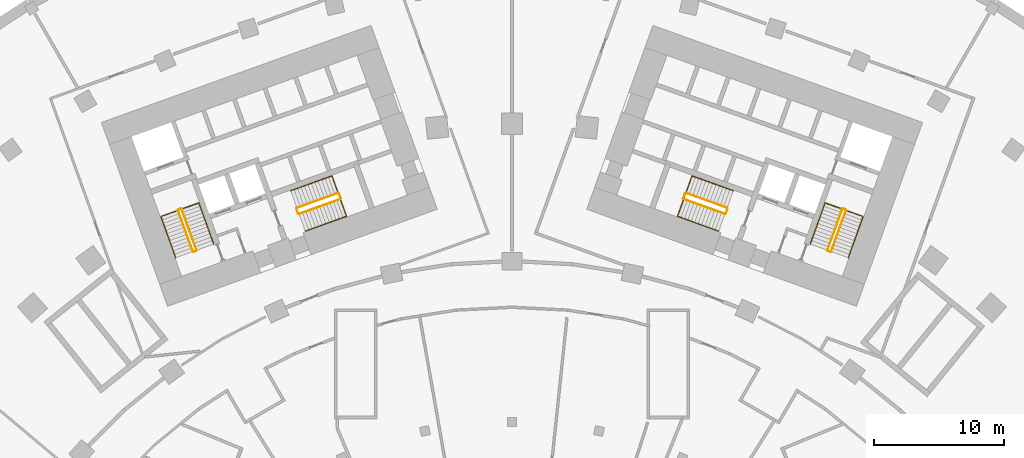
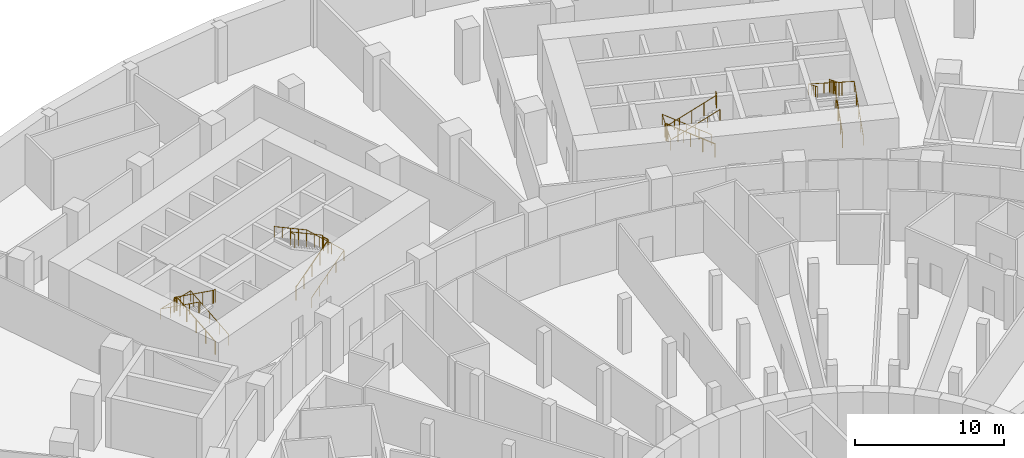
# One storey, part 23 of 23: 12 railings.
"""IFC4 building model written with IfcOpenShell, lengths in metres."""

from ifc_helpers import new_model, si_unit, direction, frame, origin, origin_2d, place, context, subcontext, project, spatial, circle, extrude, material, type_object, element, save


model = new_model("IFC4")

# Units and contexts
model_context = context("Model", 3, precision=1e-05, world=origin(), true_north=direction((0.0, 1.0)))
body_context = subcontext(model_context, "Body", "Model", "MODEL_VIEW")
ifc_project = project(units=[si_unit("LENGTHUNIT", "METRE"), si_unit("AREAUNIT", "SQUARE_METRE"), si_unit("VOLUMEUNIT", "CUBIC_METRE"), si_unit("PLANEANGLEUNIT", "RADIAN"), si_unit("MASSUNIT", "GRAM", prefix="KILO")], contexts=[model_context])

# Site, building, storey
site_placement = place(None, origin())
site = spatial("IfcSite", under=ifc_project, at=site_placement, CompositionType="ELEMENT")
building_placement = place(site_placement, origin())
building = spatial("IfcBuilding", under=site, at=building_placement, Name="Stone Belt Terrace Tower", CompositionType="ELEMENT")
storey_placement = place(building_placement, frame((0.0, 0.0, -4.5)))
storey = spatial("IfcBuildingStorey", under=building, at=storey_placement, Name="B1", CompositionType="ELEMENT", Elevation=-4.5)

# Railings
ifc_material = material(Name="Structural steel C345", Category="steel")
railing_type_1 = type_object("IfcRailingType", Name="Stair guard 1100", PredefinedType="GUARDRAIL", material=ifc_material)
railing_1_placement = place(storey_placement, frame((-24.2119140625, 45.276123046875, 0.173095703125)))
element("IfcRailing", 1, at=railing_1_placement, inside=storey, type_object=railing_type_1, Name="B1 ST1A stair guard 1", PredefinedType="GUARDRAIL", context=body_context, shape_type="SweptSolid", body=[
    extrude(circle(Radius=0.02392578125, at=origin_2d()), frame((0.0, 0.0, 1.076171875), z_axis=(-0.288083704321, 0.800342391602, 0.525794480296), x_axis=(-0.940902231577, -0.338678299589, 0.0)), (0.0, 0.0, 1.0), 3.949951171875),
    extrude(circle(Radius=0.02392578125, at=origin_2d()), frame((-1.137939453125, 3.161376953125, 3.15283203125), z_axis=(-0.903878284585, 0.427789722475, 0.0), x_axis=(-0.427789722475, -0.903878284585, 0.0)), (0.0, 0.0, 1.0), 0.07080078125),
    extrude(circle(Radius=0.02392578125, at=origin_2d()), frame((-1.201904296875, 3.191650390625, 3.15283203125), z_axis=(-0.940575576748, -0.339584429008, 0.0), x_axis=(0.339584429008, -0.940575576748, 0.0)), (0.0, 0.0, 1.0), 0.199951171875),
    extrude(circle(Radius=0.02099609375, at=origin_2d()), origin(), (0.0, 0.0, 1.0), 1.052001953125),
    extrude(circle(Radius=0.02099609375, at=origin_2d()), frame((-0.284423828125, 0.790283203125, 0.519287109375)), (0.0, 0.0, 1.0), 1.052001953125),
    extrude(circle(Radius=0.02099609375, at=origin_2d()), frame((-0.56884765625, 1.58056640625, 1.03857421875)), (0.0, 0.0, 1.0), 1.052001953125),
    extrude(circle(Radius=0.02099609375, at=origin_2d()), frame((-0.853515625, 2.37109375, 1.5576171875)), (0.0, 0.0, 1.0), 1.052001953125),
    extrude(circle(Radius=0.02099609375, at=origin_2d()), frame((-1.137939453125, 3.161376953125, 2.076904296875)), (0.0, 0.0, 1.0), 1.052001953125),
    extrude(circle(Radius=0.02099609375, at=origin_2d()), frame((-1.201904296875, 3.191650390625, 2.076904296875)), (0.0, 0.0, 1.0), 1.052001953125),
    extrude(circle(Radius=0.02099609375, at=origin_2d()), frame((-1.389892578125, 3.123779296875, 2.076904296875)), (0.0, 0.0, 1.0), 1.052001953125),
])
railing_2_placement = place(storey_placement, frame((-25.632080078125, 48.3359375, 2.423095703125)))
element("IfcRailing", 2, at=railing_2_placement, inside=storey, type_object=railing_type_1, Name="B1 ST1A stair guard 2", PredefinedType="GUARDRAIL", context=body_context, shape_type="SweptSolid", body=[
    extrude(circle(Radius=0.02392578125, at=origin_2d()), frame((0.0, 0.0, 1.076171875), z_axis=(0.288083704321, -0.800342391602, 0.525794480296), x_axis=(0.940902231577, 0.338678299589, 0.0)), (0.0, 0.0, 1.0), 3.949951171875),
    extrude(circle(Radius=0.02392578125, at=origin_2d()), frame((1.137939453125, -3.161376953125, 3.15283203125), z_axis=(0.903878284585, -0.427789722475, 0.0), x_axis=(0.427789722475, 0.903878284585, 0.0)), (0.0, 0.0, 1.0), 0.07080078125),
    extrude(circle(Radius=0.02392578125, at=origin_2d()), frame((1.201904296875, -3.191650390625, 3.15283203125), z_axis=(0.940575576748, 0.339584429008, 0.0), x_axis=(-0.339584429008, 0.940575576748, 0.0)), (0.0, 0.0, 1.0), 0.199951171875),
    extrude(circle(Radius=0.02099609375, at=origin_2d()), origin(), (0.0, 0.0, 1.0), 1.052001953125),
    extrude(circle(Radius=0.02099609375, at=origin_2d()), frame((0.284423828125, -0.790283203125, 0.519287109375)), (0.0, 0.0, 1.0), 1.052001953125),
    extrude(circle(Radius=0.02099609375, at=origin_2d()), frame((0.56884765625, -1.58056640625, 1.03857421875)), (0.0, 0.0, 1.0), 1.052001953125),
    extrude(circle(Radius=0.02099609375, at=origin_2d()), frame((0.853515625, -2.37109375, 1.5576171875)), (0.0, 0.0, 1.0), 1.052001953125),
    extrude(circle(Radius=0.02099609375, at=origin_2d()), frame((1.137939453125, -3.161376953125, 2.076904296875)), (0.0, 0.0, 1.0), 1.052001953125),
    extrude(circle(Radius=0.02099609375, at=origin_2d()), frame((1.201904296875, -3.191650390625, 2.076904296875)), (0.0, 0.0, 1.0), 1.052001953125),
    extrude(circle(Radius=0.02099609375, at=origin_2d()), frame((1.389892578125, -3.123779296875, 2.076904296875)), (0.0, 0.0, 1.0), 1.052001953125),
])
railing_3_placement = place(storey_placement, frame((-16.33837890625, 48.056640625, 0.173095703125)))
element("IfcRailing", 3, at=railing_3_placement, inside=storey, type_object=railing_type_1, Name="B1 ST2A stair guard 1", PredefinedType="GUARDRAIL", context=body_context, shape_type="SweptSolid", body=[
    extrude(circle(Radius=0.02392578125, at=origin_2d()), frame((0.0, 0.0, 1.076171875), z_axis=(0.800378855174, 0.288012777229, 0.525777831735), x_axis=(-0.338590819614, 0.940933715451, 0.0)), (0.0, 0.0, 1.0), 3.9501953125),
    extrude(circle(Radius=0.02392578125, at=origin_2d()), frame((3.16162109375, 1.1376953125, 3.15283203125), z_axis=(0.424964916, 0.905209821074, 0.0), x_axis=(-0.905209821074, 0.424964916, 0.0)), (0.0, 0.0, 1.0), 0.070556640625),
    extrude(circle(Radius=0.02392578125, at=origin_2d()), frame((3.191650390625, 1.20166015625, 3.15283203125), z_axis=(-0.338654645739, 0.940910745459, 0.0), x_axis=(-0.940910745459, -0.338654645739, 0.0)), (0.0, 0.0, 1.0), 0.400146484375),
    extrude(circle(Radius=0.02099609375, at=origin_2d()), origin(), (0.0, 0.0, 1.0), 1.052001953125),
    extrude(circle(Radius=0.02099609375, at=origin_2d()), frame((0.79052734375, 0.284423828125, 0.519287109375)), (0.0, 0.0, 1.0), 1.052001953125),
    extrude(circle(Radius=0.02099609375, at=origin_2d()), frame((1.580810546875, 0.56884765625, 1.03857421875)), (0.0, 0.0, 1.0), 1.052001953125),
    extrude(circle(Radius=0.02099609375, at=origin_2d()), frame((2.37109375, 0.853271484375, 1.5576171875)), (0.0, 0.0, 1.0), 1.052001953125),
    extrude(circle(Radius=0.02099609375, at=origin_2d()), frame((3.16162109375, 1.1376953125, 2.076904296875)), (0.0, 0.0, 1.0), 1.052001953125),
    extrude(circle(Radius=0.02099609375, at=origin_2d()), frame((3.191650390625, 1.20166015625, 2.076904296875)), (0.0, 0.0, 1.0), 1.052001953125),
    extrude(circle(Radius=0.02099609375, at=origin_2d()), frame((3.05615234375, 1.578125, 2.076904296875)), (0.0, 0.0, 1.0), 1.052001953125),
])
railing_4_placement = place(storey_placement, frame((-13.34619140625, 49.664794921875, 2.423095703125)))
element("IfcRailing", 4, at=railing_4_placement, inside=storey, type_object=railing_type_1, Name="B1 ST2A stair guard 2", PredefinedType="GUARDRAIL", context=body_context, shape_type="SweptSolid", body=[
    extrude(circle(Radius=0.02392578125, at=origin_2d()), frame((0.0, 0.0, 1.076171875), z_axis=(-0.800356641085, -0.288027025056, 0.525803841664), x_axis=(0.338613969627, -0.9409253847, 0.0)), (0.0, 0.0, 1.0), 3.949951171875),
    extrude(circle(Radius=0.02392578125, at=origin_2d()), frame((-3.161376953125, -1.1376953125, 3.15283203125), z_axis=(-0.427789722475, -0.903878284585, 0.0), x_axis=(0.903878284585, -0.427789722475, 0.0)), (0.0, 0.0, 1.0), 0.07080078125),
    extrude(circle(Radius=0.02392578125, at=origin_2d()), frame((-3.191650390625, -1.20166015625, 3.15283203125), z_axis=(0.338654645739, -0.940910745459, 0.0), x_axis=(0.940910745459, 0.338654645739, 0.0)), (0.0, 0.0, 1.0), 0.400146484375),
    extrude(circle(Radius=0.02099609375, at=origin_2d()), origin(), (0.0, 0.0, 1.0), 1.052001953125),
    extrude(circle(Radius=0.02099609375, at=origin_2d()), frame((-0.790283203125, -0.284423828125, 0.519287109375)), (0.0, 0.0, 1.0), 1.052001953125),
    extrude(circle(Radius=0.02099609375, at=origin_2d()), frame((-1.58056640625, -0.56884765625, 1.03857421875)), (0.0, 0.0, 1.0), 1.052001953125),
    extrude(circle(Radius=0.02099609375, at=origin_2d()), frame((-2.37109375, -0.853271484375, 1.5576171875)), (0.0, 0.0, 1.0), 1.052001953125),
    extrude(circle(Radius=0.02099609375, at=origin_2d()), frame((-3.161376953125, -1.1376953125, 2.076904296875)), (0.0, 0.0, 1.0), 1.052001953125),
    extrude(circle(Radius=0.02099609375, at=origin_2d()), frame((-3.191650390625, -1.20166015625, 2.076904296875)), (0.0, 0.0, 1.0), 1.052001953125),
    extrude(circle(Radius=0.02099609375, at=origin_2d()), frame((-3.05615234375, -1.578125, 2.076904296875)), (0.0, 0.0, 1.0), 1.052001953125),
])
railing_5_placement = place(storey_placement, frame((24.494140625, 45.174560546875, 0.173095703125)))
element("IfcRailing", 5, at=railing_5_placement, inside=storey, type_object=railing_type_1, Name="B1 ST1B stair guard 1", PredefinedType="GUARDRAIL", context=body_context, shape_type="SweptSolid", body=[
    extrude(circle(Radius=0.02392578125, at=origin_2d()), frame((0.0, 0.0, 1.076171875), z_axis=(0.288083704321, 0.800342391602, 0.525794480296), x_axis=(-0.940902231577, 0.338678299589, 0.0)), (0.0, 0.0, 1.0), 3.949951171875),
    extrude(circle(Radius=0.02392578125, at=origin_2d()), frame((1.137939453125, 3.161376953125, 3.15283203125), z_axis=(-0.427789722475, 0.903878284585, 0.0), x_axis=(-0.903878284585, -0.427789722475, 0.0)), (0.0, 0.0, 1.0), 0.07080078125),
    extrude(circle(Radius=0.02392578125, at=origin_2d()), frame((1.107666015625, 3.225341796875, 3.15283203125), z_axis=(-0.940575576748, 0.339584429008, 0.0), x_axis=(-0.339584429008, -0.940575576748, 0.0)), (0.0, 0.0, 1.0), 0.199951171875),
    extrude(circle(Radius=0.02099609375, at=origin_2d()), origin(), (0.0, 0.0, 1.0), 1.052001953125),
    extrude(circle(Radius=0.02099609375, at=origin_2d()), frame((0.284423828125, 0.790283203125, 0.519287109375)), (0.0, 0.0, 1.0), 1.052001953125),
    extrude(circle(Radius=0.02099609375, at=origin_2d()), frame((0.56884765625, 1.58056640625, 1.03857421875)), (0.0, 0.0, 1.0), 1.052001953125),
    extrude(circle(Radius=0.02099609375, at=origin_2d()), frame((0.853515625, 2.37109375, 1.5576171875)), (0.0, 0.0, 1.0), 1.052001953125),
    extrude(circle(Radius=0.02099609375, at=origin_2d()), frame((1.137939453125, 3.161376953125, 2.076904296875)), (0.0, 0.0, 1.0), 1.052001953125),
    extrude(circle(Radius=0.02099609375, at=origin_2d()), frame((1.107666015625, 3.225341796875, 2.076904296875)), (0.0, 0.0, 1.0), 1.052001953125),
    extrude(circle(Radius=0.02099609375, at=origin_2d()), frame((0.919677734375, 3.293212890625, 2.076904296875)), (0.0, 0.0, 1.0), 1.052001953125),
])
railing_6_placement = place(storey_placement, frame((25.349853515625, 48.4375, 2.423095703125)))
element("IfcRailing", 6, at=railing_6_placement, inside=storey, type_object=railing_type_1, Name="B1 ST1B stair guard 2", PredefinedType="GUARDRAIL", context=body_context, shape_type="SweptSolid", body=[
    extrude(circle(Radius=0.02392578125, at=origin_2d()), frame((0.0, 0.0, 1.076171875), z_axis=(-0.288083704321, -0.800342391602, 0.525794480296), x_axis=(0.940902231577, -0.338678299589, 0.0)), (0.0, 0.0, 1.0), 3.949951171875),
    extrude(circle(Radius=0.02392578125, at=origin_2d()), frame((-1.137939453125, -3.161376953125, 3.15283203125), z_axis=(0.427789722475, -0.903878284585, 0.0), x_axis=(0.903878284585, 0.427789722475, 0.0)), (0.0, 0.0, 1.0), 0.07080078125),
    extrude(circle(Radius=0.02392578125, at=origin_2d()), frame((-1.107666015625, -3.225341796875, 3.15283203125), z_axis=(0.940575576748, -0.339584429008, 0.0), x_axis=(0.339584429008, 0.940575576748, 0.0)), (0.0, 0.0, 1.0), 0.199951171875),
    extrude(circle(Radius=0.02099609375, at=origin_2d()), origin(), (0.0, 0.0, 1.0), 1.052001953125),
    extrude(circle(Radius=0.02099609375, at=origin_2d()), frame((-0.284423828125, -0.790283203125, 0.519287109375)), (0.0, 0.0, 1.0), 1.052001953125),
    extrude(circle(Radius=0.02099609375, at=origin_2d()), frame((-0.56884765625, -1.58056640625, 1.03857421875)), (0.0, 0.0, 1.0), 1.052001953125),
    extrude(circle(Radius=0.02099609375, at=origin_2d()), frame((-0.853515625, -2.37109375, 1.5576171875)), (0.0, 0.0, 1.0), 1.052001953125),
    extrude(circle(Radius=0.02099609375, at=origin_2d()), frame((-1.137939453125, -3.161376953125, 2.076904296875)), (0.0, 0.0, 1.0), 1.052001953125),
    extrude(circle(Radius=0.02099609375, at=origin_2d()), frame((-1.107666015625, -3.225341796875, 2.076904296875)), (0.0, 0.0, 1.0), 1.052001953125),
    extrude(circle(Radius=0.02099609375, at=origin_2d()), frame((-0.919677734375, -3.293212890625, 2.076904296875)), (0.0, 0.0, 1.0), 1.052001953125),
])
railing_7_placement = place(storey_placement, frame((16.507568359375, 48.527099609375, 0.173095703125)))
element("IfcRailing", 7, at=railing_7_placement, inside=storey, type_object=railing_type_1, Name="B1 ST2B stair guard 1", PredefinedType="GUARDRAIL", context=body_context, shape_type="SweptSolid", body=[
    extrude(circle(Radius=0.02392578125, at=origin_2d()), frame((0.0, 0.0, 1.076171875), z_axis=(-0.800356641085, 0.288027025056, 0.525803841664), x_axis=(-0.338613969627, -0.9409253847, 0.0)), (0.0, 0.0, 1.0), 3.949951171875),
    extrude(circle(Radius=0.02392578125, at=origin_2d()), frame((-3.161376953125, 1.1376953125, 3.15283203125), z_axis=(-0.905209821074, -0.424964916, 0.0), x_axis=(0.424964916, -0.905209821074, 0.0)), (0.0, 0.0, 1.0), 0.070556640625),
    extrude(circle(Radius=0.02392578125, at=origin_2d()), frame((-3.225341796875, 1.107666015625, 3.15283203125), z_axis=(-0.338654645739, -0.940910745459, 0.0), x_axis=(0.940910745459, -0.338654645739, 0.0)), (0.0, 0.0, 1.0), 0.400146484375),
    extrude(circle(Radius=0.02099609375, at=origin_2d()), origin(), (0.0, 0.0, 1.0), 1.052001953125),
    extrude(circle(Radius=0.02099609375, at=origin_2d()), frame((-0.790283203125, 0.284423828125, 0.519287109375)), (0.0, 0.0, 1.0), 1.052001953125),
    extrude(circle(Radius=0.02099609375, at=origin_2d()), frame((-1.58056640625, 0.56884765625, 1.03857421875)), (0.0, 0.0, 1.0), 1.052001953125),
    extrude(circle(Radius=0.02099609375, at=origin_2d()), frame((-2.37109375, 0.853271484375, 1.5576171875)), (0.0, 0.0, 1.0), 1.052001953125),
    extrude(circle(Radius=0.02099609375, at=origin_2d()), frame((-3.161376953125, 1.1376953125, 2.076904296875)), (0.0, 0.0, 1.0), 1.052001953125),
    extrude(circle(Radius=0.02099609375, at=origin_2d()), frame((-3.225341796875, 1.107666015625, 2.076904296875)), (0.0, 0.0, 1.0), 1.052001953125),
    extrude(circle(Radius=0.02099609375, at=origin_2d()), frame((-3.36083984375, 0.731201171875, 2.076904296875)), (0.0, 0.0, 1.0), 1.052001953125),
])
railing_8_placement = place(storey_placement, frame((13.1767578125, 49.1943359375, 2.423095703125)))
element("IfcRailing", 8, at=railing_8_placement, inside=storey, type_object=railing_type_1, Name="B1 ST2B stair guard 2", PredefinedType="GUARDRAIL", context=body_context, shape_type="SweptSolid", body=[
    extrude(circle(Radius=0.02392578125, at=origin_2d()), frame((0.0, 0.0, 1.076171875), z_axis=(0.800378855174, -0.288012777229, 0.525777831735), x_axis=(0.338590819614, 0.940933715451, 0.0)), (0.0, 0.0, 1.0), 3.9501953125),
    extrude(circle(Radius=0.02392578125, at=origin_2d()), frame((3.16162109375, -1.1376953125, 3.15283203125), z_axis=(0.905209821074, 0.424964916, 0.0), x_axis=(-0.424964916, 0.905209821074, 0.0)), (0.0, 0.0, 1.0), 0.070556640625),
    extrude(circle(Radius=0.02392578125, at=origin_2d()), frame((3.2255859375, -1.107666015625, 3.15283203125), z_axis=(0.338654645739, 0.940910745459, 0.0), x_axis=(-0.940910745459, 0.338654645739, 0.0)), (0.0, 0.0, 1.0), 0.400146484375),
    extrude(circle(Radius=0.02099609375, at=origin_2d()), origin(), (0.0, 0.0, 1.0), 1.052001953125),
    extrude(circle(Radius=0.02099609375, at=origin_2d()), frame((0.79052734375, -0.284423828125, 0.519287109375)), (0.0, 0.0, 1.0), 1.052001953125),
    extrude(circle(Radius=0.02099609375, at=origin_2d()), frame((1.580810546875, -0.56884765625, 1.03857421875)), (0.0, 0.0, 1.0), 1.052001953125),
    extrude(circle(Radius=0.02099609375, at=origin_2d()), frame((2.37109375, -0.853271484375, 1.5576171875)), (0.0, 0.0, 1.0), 1.052001953125),
    extrude(circle(Radius=0.02099609375, at=origin_2d()), frame((3.16162109375, -1.1376953125, 2.076904296875)), (0.0, 0.0, 1.0), 1.052001953125),
    extrude(circle(Radius=0.02099609375, at=origin_2d()), frame((3.2255859375, -1.107666015625, 2.076904296875)), (0.0, 0.0, 1.0), 1.052001953125),
    extrude(circle(Radius=0.02099609375, at=origin_2d()), frame((3.361083984375, -0.731201171875, 2.076904296875)), (0.0, 0.0, 1.0), 1.052001953125),
])
railing_type_2 = type_object("IfcRailingType", Name="Stair handrail 900", PredefinedType="HANDRAIL", material=ifc_material)
railing_9_placement = place(storey_placement, frame((-22.894775390625, 45.750244140625, 0.173095703125)))
element("IfcRailing", 9, at=railing_9_placement, inside=storey, type_object=railing_type_2, Name="B1 ST1A stair handrail 1", PredefinedType="HANDRAIL", context=body_context, shape_type="SweptSolid", body=[
    extrude(circle(Radius=0.02392578125, at=origin_2d()), frame((0.0, 0.0, 0.8759765625), z_axis=(-0.288027025056, 0.800356641085, 0.525803841664), x_axis=(-0.9409253847, -0.338613969627, 0.0)), (0.0, 0.0, 1.0), 3.949951171875),
    extrude(circle(Radius=0.02392578125, at=origin_2d()), frame((-1.1376953125, 3.161376953125, 2.95263671875), z_axis=(-0.9394470592, -0.338128597519, 0.055751901312), x_axis=(0.338655323994, -0.940910501339, 0.0)), (0.0, 0.0, 1.0), 3.104736328125),
    extrude(circle(Radius=0.02392578125, at=origin_2d()), frame((-4.054443359375, 2.111572265625, 3.1259765625), z_axis=(0.288027025056, -0.800356641085, 0.525803841664), x_axis=(0.9409253847, 0.338613969627, 0.0)), (0.0, 0.0, 1.0), 3.949951171875),
    extrude(circle(Radius=0.02099609375, at=origin_2d()), origin(), (0.0, 0.0, 1.0), 0.851806640625),
    extrude(circle(Radius=0.02099609375, at=origin_2d()), frame((-0.284423828125, 0.790283203125, 0.519287109375)), (0.0, 0.0, 1.0), 0.851806640625),
    extrude(circle(Radius=0.02099609375, at=origin_2d()), frame((-0.56884765625, 1.58056640625, 1.03857421875)), (0.0, 0.0, 1.0), 0.851806640625),
    extrude(circle(Radius=0.02099609375, at=origin_2d()), frame((-0.853271484375, 2.37109375, 1.5576171875)), (0.0, 0.0, 1.0), 0.851806640625),
    extrude(circle(Radius=0.02099609375, at=origin_2d()), frame((-1.1376953125, 3.161376953125, 2.076904296875)), (0.0, 0.0, 1.0), 0.851806640625),
    extrude(circle(Radius=0.02099609375, at=origin_2d()), frame((-2.10986328125, 2.8115234375, 2.134521484375)), (0.0, 0.0, 1.0), 0.851806640625),
    extrude(circle(Radius=0.02099609375, at=origin_2d()), frame((-3.082275390625, 2.46142578125, 2.1923828125)), (0.0, 0.0, 1.0), 0.851806640625),
    extrude(circle(Radius=0.02099609375, at=origin_2d()), frame((-4.054443359375, 2.111572265625, 2.25)), (0.0, 0.0, 1.0), 0.851806640625),
    extrude(circle(Radius=0.02099609375, at=origin_2d()), frame((-3.77001953125, 1.3212890625, 2.769287109375)), (0.0, 0.0, 1.0), 0.851806640625),
    extrude(circle(Radius=0.02099609375, at=origin_2d()), frame((-3.485595703125, 0.53076171875, 3.28857421875)), (0.0, 0.0, 1.0), 0.851806640625),
    extrude(circle(Radius=0.02099609375, at=origin_2d()), frame((-3.201171875, -0.259521484375, 3.8076171875)), (0.0, 0.0, 1.0), 0.851806640625),
    extrude(circle(Radius=0.02099609375, at=origin_2d()), frame((-2.916748046875, -1.0498046875, 4.326904296875)), (0.0, 0.0, 1.0), 0.851806640625),
])
railing_10_placement = place(storey_placement, frame((-15.8642578125, 46.7392578125, 0.173095703125)))
element("IfcRailing", 10, at=railing_10_placement, inside=storey, type_object=railing_type_2, Name="B1 ST2A stair handrail 1", PredefinedType="HANDRAIL", context=body_context, shape_type="SweptSolid", body=[
    extrude(circle(Radius=0.02392578125, at=origin_2d()), frame((0.0, 0.0, 0.8759765625), z_axis=(0.800356641085, 0.288027025056, 0.525803841664), x_axis=(-0.338613969627, 0.9409253847, 0.0)), (0.0, 0.0, 1.0), 3.949951171875),
    extrude(circle(Radius=0.02392578125, at=origin_2d()), frame((3.161376953125, 1.1376953125, 2.95263671875), z_axis=(-0.338134166301, 0.93963916565, 0.052378659364), x_axis=(-0.940930785231, -0.338598962497, 0.0)), (0.0, 0.0, 1.0), 3.3046875),
    extrude(circle(Radius=0.02392578125, at=origin_2d()), frame((2.0439453125, 4.242919921875, 3.1259765625), z_axis=(-0.800342391602, -0.288083704321, 0.525794480296), x_axis=(0.338678299589, -0.940902231577, 0.0)), (0.0, 0.0, 1.0), 3.949951171875),
    extrude(circle(Radius=0.02099609375, at=origin_2d()), origin(), (0.0, 0.0, 1.0), 0.851806640625),
    extrude(circle(Radius=0.02099609375, at=origin_2d()), frame((0.790283203125, 0.284423828125, 0.519287109375)), (0.0, 0.0, 1.0), 0.851806640625),
    extrude(circle(Radius=0.02099609375, at=origin_2d()), frame((1.58056640625, 0.56884765625, 1.03857421875)), (0.0, 0.0, 1.0), 0.851806640625),
    extrude(circle(Radius=0.02099609375, at=origin_2d()), frame((2.37109375, 0.853271484375, 1.5576171875)), (0.0, 0.0, 1.0), 0.851806640625),
    extrude(circle(Radius=0.02099609375, at=origin_2d()), frame((3.161376953125, 1.1376953125, 2.076904296875)), (0.0, 0.0, 1.0), 0.851806640625),
    extrude(circle(Radius=0.02099609375, at=origin_2d()), frame((2.788818359375, 2.1728515625, 2.134521484375)), (0.0, 0.0, 1.0), 0.851806640625),
    extrude(circle(Radius=0.02099609375, at=origin_2d()), frame((2.41650390625, 3.207763671875, 2.1923828125)), (0.0, 0.0, 1.0), 0.851806640625),
    extrude(circle(Radius=0.02099609375, at=origin_2d()), frame((2.0439453125, 4.242919921875, 2.25)), (0.0, 0.0, 1.0), 0.851806640625),
    extrude(circle(Radius=0.02099609375, at=origin_2d()), frame((1.253662109375, 3.95849609375, 2.769287109375)), (0.0, 0.0, 1.0), 0.851806640625),
    extrude(circle(Radius=0.02099609375, at=origin_2d()), frame((0.46337890625, 3.673828125, 3.28857421875)), (0.0, 0.0, 1.0), 0.851806640625),
    extrude(circle(Radius=0.02099609375, at=origin_2d()), frame((-0.3271484375, 3.389404296875, 3.8076171875)), (0.0, 0.0, 1.0), 0.851806640625),
    extrude(circle(Radius=0.02099609375, at=origin_2d()), frame((-1.117431640625, 3.10498046875, 4.326904296875)), (0.0, 0.0, 1.0), 0.851806640625),
])
railing_11_placement = place(storey_placement, frame((25.8115234375, 44.700439453125, 0.173095703125)))
element("IfcRailing", 11, at=railing_11_placement, inside=storey, type_object=railing_type_2, Name="B1 ST1B stair handrail 1", PredefinedType="HANDRAIL", context=body_context, shape_type="SweptSolid", body=[
    extrude(circle(Radius=0.02392578125, at=origin_2d()), frame((0.0, 0.0, 0.8759765625), z_axis=(0.288027025056, 0.800356641085, 0.525803841664), x_axis=(-0.9409253847, 0.338613969627, 0.0)), (0.0, 0.0, 1.0), 3.949951171875),
    extrude(circle(Radius=0.02392578125, at=origin_2d()), frame((1.1376953125, 3.161376953125, 2.95263671875), z_axis=(-0.9394470592, 0.338128597519, 0.055751901312), x_axis=(-0.338655323994, -0.940910501339, 0.0)), (0.0, 0.0, 1.0), 3.104736328125),
    extrude(circle(Radius=0.02392578125, at=origin_2d()), frame((-1.779052734375, 4.211181640625, 3.1259765625), z_axis=(-0.288027025056, -0.800356641085, 0.525803841664), x_axis=(0.9409253847, -0.338613969627, 0.0)), (0.0, 0.0, 1.0), 3.949951171875),
    extrude(circle(Radius=0.02099609375, at=origin_2d()), origin(), (0.0, 0.0, 1.0), 0.851806640625),
    extrude(circle(Radius=0.02099609375, at=origin_2d()), frame((0.284423828125, 0.790283203125, 0.519287109375)), (0.0, 0.0, 1.0), 0.851806640625),
    extrude(circle(Radius=0.02099609375, at=origin_2d()), frame((0.56884765625, 1.58056640625, 1.03857421875)), (0.0, 0.0, 1.0), 0.851806640625),
    extrude(circle(Radius=0.02099609375, at=origin_2d()), frame((0.853271484375, 2.37109375, 1.5576171875)), (0.0, 0.0, 1.0), 0.851806640625),
    extrude(circle(Radius=0.02099609375, at=origin_2d()), frame((1.1376953125, 3.161376953125, 2.076904296875)), (0.0, 0.0, 1.0), 0.851806640625),
    extrude(circle(Radius=0.02099609375, at=origin_2d()), frame((0.16552734375, 3.51123046875, 2.134521484375)), (0.0, 0.0, 1.0), 0.851806640625),
    extrude(circle(Radius=0.02099609375, at=origin_2d()), frame((-0.806884765625, 3.861328125, 2.1923828125)), (0.0, 0.0, 1.0), 0.851806640625),
    extrude(circle(Radius=0.02099609375, at=origin_2d()), frame((-1.779052734375, 4.211181640625, 2.25)), (0.0, 0.0, 1.0), 0.851806640625),
    extrude(circle(Radius=0.02099609375, at=origin_2d()), frame((-2.0634765625, 3.4208984375, 2.769287109375)), (0.0, 0.0, 1.0), 0.851806640625),
    extrude(circle(Radius=0.02099609375, at=origin_2d()), frame((-2.347900390625, 2.63037109375, 3.28857421875)), (0.0, 0.0, 1.0), 0.851806640625),
    extrude(circle(Radius=0.02099609375, at=origin_2d()), frame((-2.63232421875, 1.840087890625, 3.8076171875)), (0.0, 0.0, 1.0), 0.851806640625),
    extrude(circle(Radius=0.02099609375, at=origin_2d()), frame((-2.916748046875, 1.0498046875, 4.326904296875)), (0.0, 0.0, 1.0), 0.851806640625),
])
railing_12_placement = place(storey_placement, frame((16.981689453125, 49.84423828125, 0.173095703125)))
element("IfcRailing", 12, at=railing_12_placement, inside=storey, type_object=railing_type_2, Name="B1 ST2B stair handrail 1", PredefinedType="HANDRAIL", context=body_context, shape_type="SweptSolid", body=[
    extrude(circle(Radius=0.02392578125, at=origin_2d()), frame((0.0, 0.0, 0.8759765625), z_axis=(-0.800342391602, 0.288083704321, 0.525794480296), x_axis=(-0.338678299589, -0.940902231577, 0.0)), (0.0, 0.0, 1.0), 3.949951171875),
    extrude(circle(Radius=0.02392578125, at=origin_2d()), frame((-3.161376953125, 1.137939453125, 2.95263671875), z_axis=(-0.338134166301, -0.93963916565, 0.052378659364), x_axis=(0.940930785231, -0.338598962497, 0.0)), (0.0, 0.0, 1.0), 3.3046875),
    extrude(circle(Radius=0.02392578125, at=origin_2d()), frame((-4.27880859375, -1.96728515625, 3.1259765625), z_axis=(0.800356641085, -0.288027025056, 0.525803841664), x_axis=(0.338613969627, 0.9409253847, 0.0)), (0.0, 0.0, 1.0), 3.949951171875),
    extrude(circle(Radius=0.02099609375, at=origin_2d()), origin(), (0.0, 0.0, 1.0), 0.851806640625),
    extrude(circle(Radius=0.02099609375, at=origin_2d()), frame((-0.790283203125, 0.284423828125, 0.519287109375)), (0.0, 0.0, 1.0), 0.851806640625),
    extrude(circle(Radius=0.02099609375, at=origin_2d()), frame((-1.58056640625, 0.56884765625, 1.03857421875)), (0.0, 0.0, 1.0), 0.851806640625),
    extrude(circle(Radius=0.02099609375, at=origin_2d()), frame((-2.37109375, 0.853515625, 1.5576171875)), (0.0, 0.0, 1.0), 0.851806640625),
    extrude(circle(Radius=0.02099609375, at=origin_2d()), frame((-3.161376953125, 1.137939453125, 2.076904296875)), (0.0, 0.0, 1.0), 0.851806640625),
    extrude(circle(Radius=0.02099609375, at=origin_2d()), frame((-3.533935546875, 0.102783203125, 2.134521484375)), (0.0, 0.0, 1.0), 0.851806640625),
    extrude(circle(Radius=0.02099609375, at=origin_2d()), frame((-3.90625, -0.93212890625, 2.1923828125)), (0.0, 0.0, 1.0), 0.851806640625),
    extrude(circle(Radius=0.02099609375, at=origin_2d()), frame((-4.27880859375, -1.96728515625, 2.25)), (0.0, 0.0, 1.0), 0.851806640625),
    extrude(circle(Radius=0.02099609375, at=origin_2d()), frame((-3.488525390625, -2.251708984375, 2.769287109375)), (0.0, 0.0, 1.0), 0.851806640625),
    extrude(circle(Radius=0.02099609375, at=origin_2d()), frame((-2.6982421875, -2.5361328125, 3.28857421875)), (0.0, 0.0, 1.0), 0.851806640625),
    extrude(circle(Radius=0.02099609375, at=origin_2d()), frame((-1.90771484375, -2.820556640625, 3.8076171875)), (0.0, 0.0, 1.0), 0.851806640625),
    extrude(circle(Radius=0.02099609375, at=origin_2d()), frame((-1.117431640625, -3.10498046875, 4.326904296875)), (0.0, 0.0, 1.0), 0.851806640625),
])

save(model, "model.ifc")
